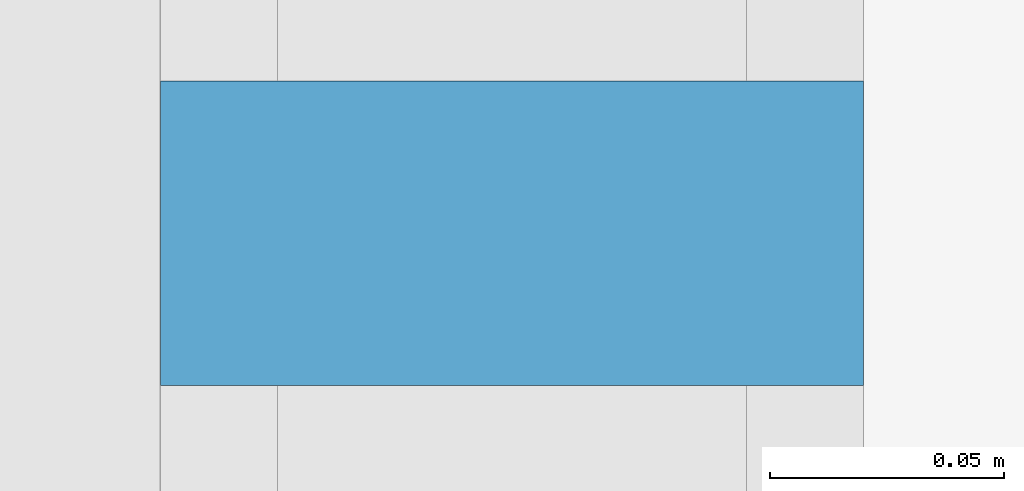
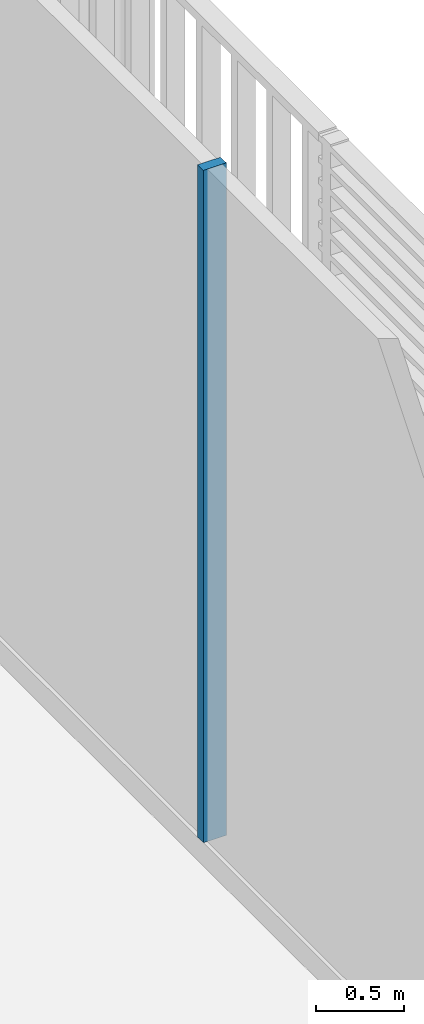
# One storey, part 11 of 22: 1 member, 1 element without a shape of its own.
"""IFC4 building model written with IfcOpenShell, lengths in metres."""

from ifc_helpers import new_model, si_unit, direction, frame, origin, origin_2d, place, context, subcontext, project, spatial, rectangle, extrude, material, layer, layer_set, material_profile, profile_set, type_object, element, aggregate, save


model = new_model("IFC4")

# Units and contexts
model_context = context("Model", 3, precision=1e-05, world=origin(), true_north=direction((0.0, 1.0)))
body_context = subcontext(model_context, "Body", "Model", "MODEL_VIEW")
ifc_project = project(units=[si_unit("LENGTHUNIT", "METRE"), si_unit("AREAUNIT", "SQUARE_METRE"), si_unit("VOLUMEUNIT", "CUBIC_METRE"), si_unit("PLANEANGLEUNIT", "RADIAN"), si_unit("MASSUNIT", "GRAM", prefix="KILO")], contexts=[model_context])

# Site, building, storey
site_placement = place(None, origin())
site = spatial("IfcSite", under=ifc_project, at=site_placement, CompositionType="ELEMENT")
building_placement = place(site_placement, origin())
building = spatial("IfcBuilding", under=site, at=building_placement, Name="Millrace Tower", CompositionType="ELEMENT")
storey_placement = place(building_placement, frame((0.0, 0.0, 25.699951171875)))
storey = spatial("IfcBuildingStorey", under=building, at=storey_placement, Name="L06", CompositionType="ELEMENT", Elevation=25.699951171875)

# Curtain wall, member
ifc_material_1 = material(Name="Aluminium and glass", Category="aluminium")
ifc_layer = layer(ifc_material_1, 0.14990234375)
ifc_layer_set = layer_set([ifc_layer], Name="Aluminium and glass")
curtain_wall_type = type_object("IfcCurtainWallType", Name="CW-2 data hall insulated curtain wall", PredefinedType="NOTDEFINED", material=ifc_layer_set)
curtain_wall_placement = place(storey_placement, origin())
curtain_wall = element("IfcCurtainWall", 1, at=curtain_wall_placement, inside=storey, type_object=curtain_wall_type, Name="Curtain wall A-F04 L06", PredefinedType="NOTDEFINED")
ifc_material_2 = material(Name="Aluminium", Category="aluminium")
ifc_material_profile = material_profile(ifc_material_2, rectangle(XDim=0.06494140625, YDim=0.14990234375, at=origin_2d()))
ifc_profile_set = profile_set([ifc_material_profile], Name="Aluminium")
member_type = type_object("IfcMemberType", Name="CW-2 data hall insulated curtain wall mullion", PredefinedType="MULLION", material=ifc_profile_set)
member_placement = place(storey_placement, frame((25.074951171875, 2.382568359375, 0.16015625), z_axis=(0.0, 0.0, 1.0), x_axis=(0.0, 1.0, 0.0)))
member = element("IfcMember", 2, at=member_placement, type_object=member_type, Name="CW2 mullion A-F04.6", PredefinedType="MULLION", context=body_context, shape_type="SweptSolid", body=[
    extrude(rectangle(XDim=0.06494140625, YDim=0.14990234375, at=origin_2d()), origin(), (0.0, 0.0, 1.0), 4.639892578125),
])
aggregate(curtain_wall, [member])

save(model, "model.ifc")
